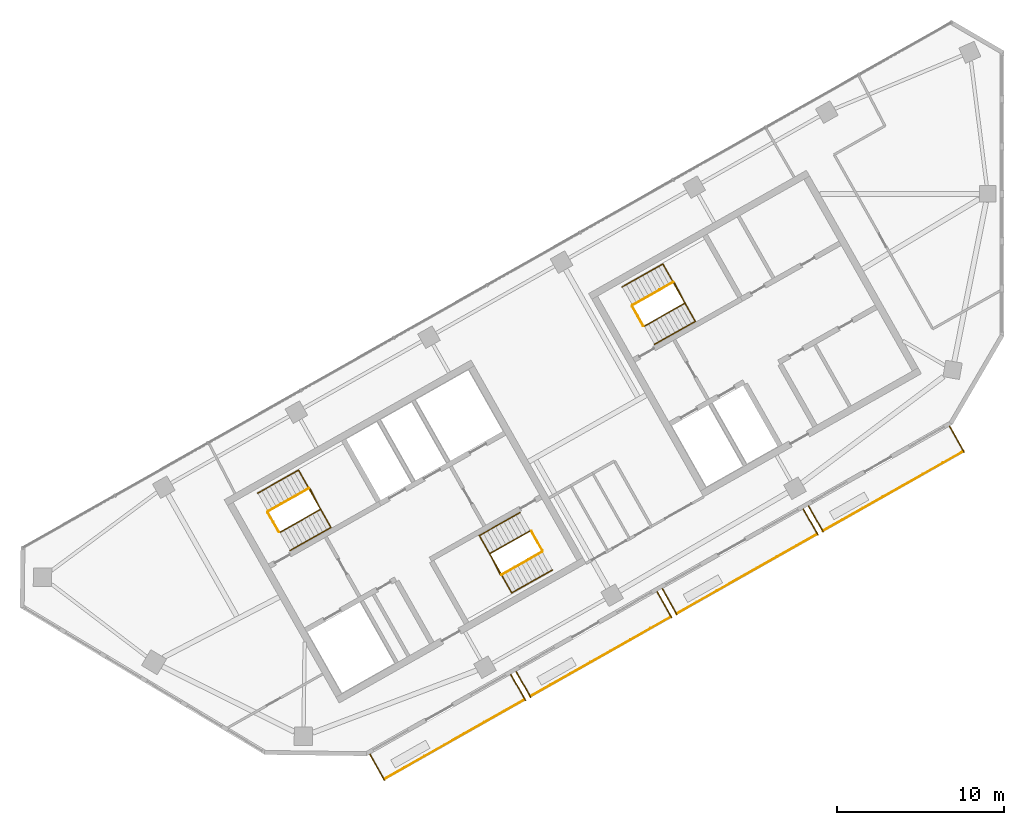
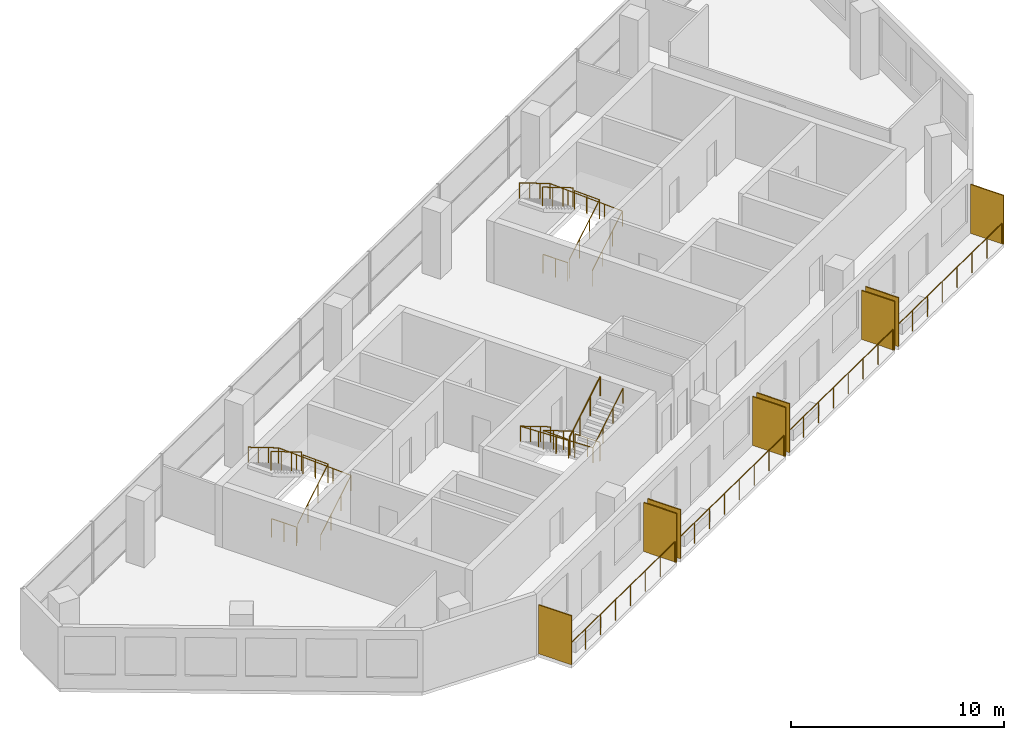
# One storey, part 9 of 10: 16 railings, 8 shading devices.
"""IFC4 building model written with IfcOpenShell, lengths in metres."""

from ifc_helpers import new_model, si_unit, direction, frame, origin, origin_2d, place, context, subcontext, project, spatial, rectangle, circle, extrude, material, layer, layer_set, type_object, element, save


model = new_model("IFC4")

# Units and contexts
model_context = context("Model", 3, precision=1e-05, world=origin(), true_north=direction((0.0, 1.0)))
body_context = subcontext(model_context, "Body", "Model", "MODEL_VIEW")
ifc_project = project(units=[si_unit("LENGTHUNIT", "METRE"), si_unit("AREAUNIT", "SQUARE_METRE"), si_unit("VOLUMEUNIT", "CUBIC_METRE"), si_unit("PLANEANGLEUNIT", "RADIAN"), si_unit("MASSUNIT", "GRAM", prefix="KILO")], contexts=[model_context])

# Site, building, storey
site_placement = place(None, origin())
site = spatial("IfcSite", under=ifc_project, at=site_placement, CompositionType="ELEMENT")
building_placement = place(site_placement, origin())
building = spatial("IfcBuilding", under=site, at=building_placement, Name="Binnacle Exchange Tower", CompositionType="ELEMENT")
storey_placement = place(building_placement, frame((0.0, 0.0, 320.300048828125)))
storey = spatial("IfcBuildingStorey", under=building, at=storey_placement, Name="L72", CompositionType="ELEMENT", Elevation=320.300048828125)

# Railings
ifc_material_1 = material(Name="Bronze anodised aluminium frame", Category="aluminium")
railing_type_1 = type_object("IfcRailingType", Name="GUARD 1200", PredefinedType="GUARDRAIL", material=ifc_material_1)
for number, where, name in (
    (1, (-37.006591796875, 24.94287109375, 0.0), "Balcony guard H07-B00 L72"),
    (2, (-28.24365234375, 29.900634765625, 0.0), "Balcony guard H07-B01 L72"),
):
    element("IfcRailing", number, at=place(storey_placement, frame(where)), inside=storey, type_object=railing_type_1, Name=name, PredefinedType="GUARDRAIL", context=body_context, shape_type="SweptSolid", body=[
        extrude(circle(Radius=0.02392578125, at=origin_2d()), frame((0.0, 0.0, 1.17578125), z_axis=(0.870359171481, 0.492417417055, 0.0), x_axis=(-0.492417417055, 0.870359171481, 0.0)), (0.0, 0.0, 1.0), 9.648193359375),
        extrude(circle(Radius=0.02099609375, at=origin_2d()), origin(), (0.0, 0.0, 1.0), 1.15185546875),
        extrude(circle(Radius=0.02099609375, at=origin_2d()), frame((1.19970703125, 0.6787109375, 0.0)), (0.0, 0.0, 1.0), 1.15185546875),
        extrude(circle(Radius=0.02099609375, at=origin_2d()), frame((2.399169921875, 1.357421875, 0.0)), (0.0, 0.0, 1.0), 1.15185546875),
        extrude(circle(Radius=0.02099609375, at=origin_2d()), frame((3.598876953125, 2.0361328125, 0.0)), (0.0, 0.0, 1.0), 1.15185546875),
        extrude(circle(Radius=0.02099609375, at=origin_2d()), frame((4.798583984375, 2.71484375, 0.0)), (0.0, 0.0, 1.0), 1.15185546875),
        extrude(circle(Radius=0.02099609375, at=origin_2d()), frame((5.998291015625, 3.3935546875, 0.0)), (0.0, 0.0, 1.0), 1.15185546875),
        extrude(circle(Radius=0.02099609375, at=origin_2d()), frame((7.19775390625, 4.072265625, 0.0)), (0.0, 0.0, 1.0), 1.15185546875),
        extrude(circle(Radius=0.02099609375, at=origin_2d()), frame((8.3974609375, 4.7509765625, 0.0)), (0.0, 0.0, 1.0), 1.15185546875),
    ])
railing_1_placement = place(storey_placement, frame((-19.480712890625, 34.8583984375, 0.0)))
element("IfcRailing", 3, at=railing_1_placement, inside=storey, type_object=railing_type_1, Name="Balcony guard H07-B02 L72", PredefinedType="GUARDRAIL", context=body_context, shape_type="SweptSolid", body=[
    extrude(circle(Radius=0.02392578125, at=origin_2d()), frame((0.0, 0.0, 1.17578125), z_axis=(0.870342190373, 0.492447430349, 0.0), x_axis=(-0.492447430349, 0.870342190373, 0.0)), (0.0, 0.0, 1.0), 9.648193359375),
    extrude(circle(Radius=0.02099609375, at=origin_2d()), origin(), (0.0, 0.0, 1.0), 1.15185546875),
    extrude(circle(Radius=0.02099609375, at=origin_2d()), frame((1.19970703125, 0.6787109375, 0.0)), (0.0, 0.0, 1.0), 1.15185546875),
    extrude(circle(Radius=0.02099609375, at=origin_2d()), frame((2.399169921875, 1.357421875, 0.0)), (0.0, 0.0, 1.0), 1.15185546875),
    extrude(circle(Radius=0.02099609375, at=origin_2d()), frame((3.598876953125, 2.0361328125, 0.0)), (0.0, 0.0, 1.0), 1.15185546875),
    extrude(circle(Radius=0.02099609375, at=origin_2d()), frame((4.79833984375, 2.715087890625, 0.0)), (0.0, 0.0, 1.0), 1.15185546875),
    extrude(circle(Radius=0.02099609375, at=origin_2d()), frame((5.998046875, 3.393798828125, 0.0)), (0.0, 0.0, 1.0), 1.15185546875),
    extrude(circle(Radius=0.02099609375, at=origin_2d()), frame((7.197509765625, 4.072509765625, 0.0)), (0.0, 0.0, 1.0), 1.15185546875),
    extrude(circle(Radius=0.02099609375, at=origin_2d()), frame((8.397216796875, 4.751220703125, 0.0)), (0.0, 0.0, 1.0), 1.15185546875),
])
railing_2_placement = place(storey_placement, frame((-10.7177734375, 39.81640625, 0.0)))
element("IfcRailing", 4, at=railing_2_placement, inside=storey, type_object=railing_type_1, Name="Balcony guard H07-B03 L72", PredefinedType="GUARDRAIL", context=body_context, shape_type="SweptSolid", body=[
    extrude(circle(Radius=0.02392578125, at=origin_2d()), frame((0.0, 0.0, 1.17578125), z_axis=(0.870353035673, 0.492428262079, 0.0), x_axis=(-0.492428262079, 0.870353035673, 0.0)), (0.0, 0.0, 1.0), 9.64794921875),
    extrude(circle(Radius=0.02099609375, at=origin_2d()), origin(), (0.0, 0.0, 1.0), 1.15185546875),
    extrude(circle(Radius=0.02099609375, at=origin_2d()), frame((1.19970703125, 0.6787109375, 0.0)), (0.0, 0.0, 1.0), 1.15185546875),
    extrude(circle(Radius=0.02099609375, at=origin_2d()), frame((2.399169921875, 1.357421875, 0.0)), (0.0, 0.0, 1.0), 1.15185546875),
    extrude(circle(Radius=0.02099609375, at=origin_2d()), frame((3.598876953125, 2.0361328125, 0.0)), (0.0, 0.0, 1.0), 1.15185546875),
    extrude(circle(Radius=0.02099609375, at=origin_2d()), frame((4.79833984375, 2.71484375, 0.0)), (0.0, 0.0, 1.0), 1.15185546875),
    extrude(circle(Radius=0.02099609375, at=origin_2d()), frame((5.998046875, 3.3935546875, 0.0)), (0.0, 0.0, 1.0), 1.15185546875),
    extrude(circle(Radius=0.02099609375, at=origin_2d()), frame((7.197509765625, 4.072265625, 0.0)), (0.0, 0.0, 1.0), 1.15185546875),
    extrude(circle(Radius=0.02099609375, at=origin_2d()), frame((8.397216796875, 4.7509765625, 0.0)), (0.0, 0.0, 1.0), 1.15185546875),
])

# Shading devices
ifc_material_2 = material(Name="Bronze aluminium louvre", Category="aluminium")
ifc_layer = layer(ifc_material_2, 0.06005859375)
ifc_layer_set = layer_set([ifc_layer], Name="PLANTED SCREEN 60x2800")
shading_device_type = type_object("IfcShadingDeviceType", Name="PLANTED SCREEN 60x2800", PredefinedType="USERDEFINED", material=ifc_layer_set)
for number, where, z_axis, x_axis, name in (
    (5, (-37.436279296875, 25.641845703125, 0.0), (0.0, 0.0, 1.0), (0.87035569594, 0.492423560103, 0.0), "Planted screen H07-B00a L72"),
    (6, (-28.98681640625, 30.42236328125, 0.0), (0.0, 0.0, 1.0), (0.87035569594, 0.492423560103, 0.0), "Planted screen H07-B00b L72"),
    (7, (-28.673583984375, 30.599609375, 0.0), (0.0, 0.0, 1.0), (0.87035569594, 0.492423560103, 0.0), "Planted screen H07-B01a L72"),
    (8, (-20.223876953125, 35.380126953125, 0.0), (0.0, 0.0, 1.0), (0.87035569594, 0.492423560103, 0.0), "Planted screen H07-B01b L72"),
    (9, (-19.91064453125, 35.5576171875, 0.0), (0.0, 0.0, 1.0), (0.87035569594, 0.492423560103, 0.0), "Planted screen H07-B02a L72"),
    (10, (-11.461181640625, 40.337890625, 0.0), (0.0, 0.0, 1.0), (0.87035569594, 0.492423560103, 0.0), "Planted screen H07-B02b L72"),
    (11, (-11.147705078125, 40.51513671875, 0.0), (0.0, 0.0, 1.0), (0.87035569594, 0.492423560103, 0.0), "Planted screen H07-B03a L72"),
    (12, (-2.697998046875, 45.2958984375, 0.0), (0.0, 0.0, 1.0), (0.87035569594, 0.492423560103, 0.0), "Planted screen H07-B03b L72"),
):
    element("IfcShadingDevice", number, at=place(storey_placement, frame(where, z_axis=z_axis, x_axis=x_axis)), inside=storey, type_object=shading_device_type, Name=name, ObjectType="SCREEN", PredefinedType="USERDEFINED", context=body_context, shape_type="SweptSolid", body=[
        extrude(rectangle(XDim=0.06005859375, YDim=1.800048828125, at=origin_2d()), origin(), (0.0, 0.0, 1.0), 2.800048828125),
    ])

# Railings
ifc_material_3 = material(Name="Steel guard rail", Category="steel")
railing_type_2 = type_object("IfcRailingType", Name="STAIR GUARD 1100", PredefinedType="GUARDRAIL", material=ifc_material_3)
railing_3_placement = place(storey_placement, frame((-43.26171875, 39.71728515625, 0.172607421875)))
element("IfcRailing", 13, at=railing_3_placement, inside=storey, type_object=railing_type_2, Name="L72 STA1 stair guard 1", PredefinedType="GUARDRAIL", context=body_context, shape_type="SweptSolid", body=[
    extrude(circle(Radius=0.02392578125, at=origin_2d()), frame((0.0, 0.0, 1.076171875), z_axis=(0.740737961854, 0.419123222656, 0.525017138862), x_axis=(-0.492453686477, 0.870338650569, 0.0)), (0.0, 0.0, 1.0), 3.2900390625),
    extrude(circle(Radius=0.02392578125, at=origin_2d()), frame((2.43701171875, 1.37890625, 2.80322265625), z_axis=(-0.461100321709, 0.887348011391, 0.0), x_axis=(-0.887348011391, -0.461100321709, 0.0)), (0.0, 0.0, 1.0), 1.40087890625),
    extrude(circle(Radius=0.02099609375, at=origin_2d()), origin(), (0.0, 0.0, 1.0), 1.052001953125),
    extrude(circle(Radius=0.02099609375, at=origin_2d()), frame((0.812255859375, 0.459716796875, 0.57568359375)), (0.0, 0.0, 1.0), 1.052001953125),
    extrude(circle(Radius=0.02099609375, at=origin_2d()), frame((1.624755859375, 0.919189453125, 1.151611328125)), (0.0, 0.0, 1.0), 1.052001953125),
    extrude(circle(Radius=0.02099609375, at=origin_2d()), frame((2.43701171875, 1.37890625, 1.727294921875)), (0.0, 0.0, 1.0), 1.052001953125),
    extrude(circle(Radius=0.02099609375, at=origin_2d()), frame((2.114013671875, 2.00048828125, 1.727294921875)), (0.0, 0.0, 1.0), 1.052001953125),
    extrude(circle(Radius=0.02099609375, at=origin_2d()), frame((1.791015625, 2.6220703125, 1.727294921875)), (0.0, 0.0, 1.0), 1.052001953125),
])
railing_4_placement = place(storey_placement, frame((-41.538818359375, 42.358154296875, 2.07275390625)))
element("IfcRailing", 14, at=railing_4_placement, inside=storey, type_object=railing_type_2, Name="L72 STA1 stair guard 2", PredefinedType="GUARDRAIL", context=body_context, shape_type="SweptSolid", body=[
    extrude(circle(Radius=0.02392578125, at=origin_2d()), frame((0.0, 0.0, 1.076171875), z_axis=(-0.740737961854, -0.419123222656, 0.525017138862), x_axis=(0.492453686477, -0.870338650569, 0.0)), (0.0, 0.0, 1.0), 3.2900390625),
    extrude(circle(Radius=0.02099609375, at=origin_2d()), origin(), (0.0, 0.0, 1.0), 1.052001953125),
    extrude(circle(Radius=0.02099609375, at=origin_2d()), frame((-0.812255859375, -0.459716796875, 0.57568359375)), (0.0, 0.0, 1.0), 1.052001953125),
    extrude(circle(Radius=0.02099609375, at=origin_2d()), frame((-1.624755859375, -0.919189453125, 1.151611328125)), (0.0, 0.0, 1.0), 1.052001953125),
    extrude(circle(Radius=0.02099609375, at=origin_2d()), frame((-2.43701171875, -1.37890625, 1.727294921875)), (0.0, 0.0, 1.0), 1.052001953125),
])
railing_5_placement = place(storey_placement, frame((-43.329833984375, 39.736328125, 0.0)))
element("IfcRailing", 15, at=railing_5_placement, inside=storey, type_object=railing_type_2, Name="L72 STA1 stair guard 3", PredefinedType="GUARDRAIL", context=body_context, shape_type="SweptSolid", body=[
    extrude(circle(Radius=0.02392578125, at=origin_2d()), frame((0.0, 0.0, 1.076171875), z_axis=(-0.4924922531, 0.870316827734, 0.0), x_axis=(-0.870316827734, -0.4924922531, 0.0)), (0.0, 0.0, 1.0), 1.349853515625),
    extrude(circle(Radius=0.02099609375, at=origin_2d()), origin(), (0.0, 0.0, 1.0), 1.052001953125),
    extrude(circle(Radius=0.02099609375, at=origin_2d()), frame((-0.33251953125, 0.58740234375, 0.0)), (0.0, 0.0, 1.0), 1.052001953125),
    extrude(circle(Radius=0.02099609375, at=origin_2d()), frame((-0.664794921875, 1.1748046875, 0.0)), (0.0, 0.0, 1.0), 1.052001953125),
])
railing_6_placement = place(storey_placement, frame((-28.265380859375, 39.814453125, 0.172607421875)))
element("IfcRailing", 16, at=railing_6_placement, inside=storey, type_object=railing_type_2, Name="L72 STA2 stair guard 1", PredefinedType="GUARDRAIL", context=body_context, shape_type="SweptSolid", body=[
    extrude(circle(Radius=0.02392578125, at=origin_2d()), frame((0.0, 0.0, 1.076171875), z_axis=(-0.740760999345, -0.419062048017, 0.525033467278), x_axis=(0.492387636113, -0.870376019777, 0.0)), (0.0, 0.0, 1.0), 3.289794921875),
    extrude(circle(Radius=0.02392578125, at=origin_2d()), frame((-2.43701171875, -1.378662109375, 2.80322265625), z_axis=(0.460963092712, -0.887419307406, 0.0), x_axis=(0.887419307406, 0.460963092712, 0.0)), (0.0, 0.0, 1.0), 1.40087890625),
    extrude(circle(Radius=0.02099609375, at=origin_2d()), origin(), (0.0, 0.0, 1.0), 1.052001953125),
    extrude(circle(Radius=0.02099609375, at=origin_2d()), frame((-0.812255859375, -0.45947265625, 0.57568359375)), (0.0, 0.0, 1.0), 1.052001953125),
    extrude(circle(Radius=0.02099609375, at=origin_2d()), frame((-1.624755859375, -0.919189453125, 1.151611328125)), (0.0, 0.0, 1.0), 1.052001953125),
    extrude(circle(Radius=0.02099609375, at=origin_2d()), frame((-2.43701171875, -1.378662109375, 1.727294921875)), (0.0, 0.0, 1.0), 1.052001953125),
    extrude(circle(Radius=0.02099609375, at=origin_2d()), frame((-2.1142578125, -2.000244140625, 1.727294921875)), (0.0, 0.0, 1.0), 1.052001953125),
    extrude(circle(Radius=0.02099609375, at=origin_2d()), frame((-1.791259765625, -2.621826171875, 1.727294921875)), (0.0, 0.0, 1.0), 1.052001953125),
])
railing_7_placement = place(storey_placement, frame((-29.988525390625, 37.173583984375, 2.07275390625)))
element("IfcRailing", 17, at=railing_7_placement, inside=storey, type_object=railing_type_2, Name="L72 STA2 stair guard 2", PredefinedType="GUARDRAIL", context=body_context, shape_type="SweptSolid", body=[
    extrude(circle(Radius=0.02392578125, at=origin_2d()), frame((0.0, 0.0, 1.076171875), z_axis=(0.740737961854, 0.419123222656, 0.525017138862), x_axis=(-0.492453686477, 0.870338650569, 0.0)), (0.0, 0.0, 1.0), 3.2900390625),
    extrude(circle(Radius=0.02099609375, at=origin_2d()), origin(), (0.0, 0.0, 1.0), 1.052001953125),
    extrude(circle(Radius=0.02099609375, at=origin_2d()), frame((0.812255859375, 0.459716796875, 0.57568359375)), (0.0, 0.0, 1.0), 1.052001953125),
    extrude(circle(Radius=0.02099609375, at=origin_2d()), frame((1.624755859375, 0.919189453125, 1.151611328125)), (0.0, 0.0, 1.0), 1.052001953125),
    extrude(circle(Radius=0.02099609375, at=origin_2d()), frame((2.43701171875, 1.37890625, 1.727294921875)), (0.0, 0.0, 1.0), 1.052001953125),
])
railing_8_placement = place(storey_placement, frame((-28.197265625, 39.795654296875, 0.0)))
element("IfcRailing", 18, at=railing_8_placement, inside=storey, type_object=railing_type_2, Name="L72 STA2 stair guard 3", PredefinedType="GUARDRAIL", context=body_context, shape_type="SweptSolid", body=[
    extrude(circle(Radius=0.02392578125, at=origin_2d()), frame((0.0, 0.0, 1.076171875), z_axis=(0.49241474071, -0.870360685654, 0.0), x_axis=(0.870360685654, 0.49241474071, 0.0)), (0.0, 0.0, 1.0), 1.35009765625),
    extrude(circle(Radius=0.02099609375, at=origin_2d()), origin(), (0.0, 0.0, 1.0), 1.052001953125),
    extrude(circle(Radius=0.02099609375, at=origin_2d()), frame((0.33251953125, -0.58740234375, 0.0)), (0.0, 0.0, 1.0), 1.052001953125),
    extrude(circle(Radius=0.02099609375, at=origin_2d()), frame((0.664794921875, -1.175048828125, 0.0)), (0.0, 0.0, 1.0), 1.052001953125),
])
railing_9_placement = place(storey_placement, frame((-21.423828125, 52.07275390625, 0.172607421875)))
element("IfcRailing", 19, at=railing_9_placement, inside=storey, type_object=railing_type_2, Name="L72 STC1 stair guard 1", PredefinedType="GUARDRAIL", context=body_context, shape_type="SweptSolid", body=[
    extrude(circle(Radius=0.02392578125, at=origin_2d()), frame((0.0, 0.0, 1.076171875), z_axis=(0.740760999345, 0.419062048017, 0.525033467278), x_axis=(-0.492387636113, 0.870376019777, 0.0)), (0.0, 0.0, 1.0), 3.289794921875),
    extrude(circle(Radius=0.02392578125, at=origin_2d()), frame((2.43701171875, 1.378662109375, 2.80322265625), z_axis=(-0.460963092712, 0.887419307406, 0.0), x_axis=(-0.887419307406, -0.460963092712, 0.0)), (0.0, 0.0, 1.0), 1.40087890625),
    extrude(circle(Radius=0.02099609375, at=origin_2d()), origin(), (0.0, 0.0, 1.0), 1.052001953125),
    extrude(circle(Radius=0.02099609375, at=origin_2d()), frame((0.812255859375, 0.45947265625, 0.57568359375)), (0.0, 0.0, 1.0), 1.052001953125),
    extrude(circle(Radius=0.02099609375, at=origin_2d()), frame((1.624755859375, 0.919189453125, 1.151611328125)), (0.0, 0.0, 1.0), 1.052001953125),
    extrude(circle(Radius=0.02099609375, at=origin_2d()), frame((2.43701171875, 1.378662109375, 1.727294921875)), (0.0, 0.0, 1.0), 1.052001953125),
    extrude(circle(Radius=0.02099609375, at=origin_2d()), frame((2.1142578125, 2.000244140625, 1.727294921875)), (0.0, 0.0, 1.0), 1.052001953125),
    extrude(circle(Radius=0.02099609375, at=origin_2d()), frame((1.791259765625, 2.621826171875, 1.727294921875)), (0.0, 0.0, 1.0), 1.052001953125),
])
railing_10_placement = place(storey_placement, frame((-19.70068359375, 54.71337890625, 2.07275390625)))
element("IfcRailing", 20, at=railing_10_placement, inside=storey, type_object=railing_type_2, Name="L72 STC1 stair guard 2", PredefinedType="GUARDRAIL", context=body_context, shape_type="SweptSolid", body=[
    extrude(circle(Radius=0.02392578125, at=origin_2d()), frame((0.0, 0.0, 1.076171875), z_axis=(-0.740760999345, -0.419062048017, 0.525033467278), x_axis=(0.492387636113, -0.870376019777, 0.0)), (0.0, 0.0, 1.0), 3.289794921875),
    extrude(circle(Radius=0.02099609375, at=origin_2d()), origin(), (0.0, 0.0, 1.0), 1.052001953125),
    extrude(circle(Radius=0.02099609375, at=origin_2d()), frame((-0.812255859375, -0.45947265625, 0.57568359375)), (0.0, 0.0, 1.0), 1.052001953125),
    extrude(circle(Radius=0.02099609375, at=origin_2d()), frame((-1.624755859375, -0.919189453125, 1.151611328125)), (0.0, 0.0, 1.0), 1.052001953125),
    extrude(circle(Radius=0.02099609375, at=origin_2d()), frame((-2.43701171875, -1.378662109375, 1.727294921875)), (0.0, 0.0, 1.0), 1.052001953125),
])
railing_11_placement = place(storey_placement, frame((-21.491943359375, 52.091552734375, 0.0)))
element("IfcRailing", 21, at=railing_11_placement, inside=storey, type_object=railing_type_2, Name="L72 STC1 stair guard 3", PredefinedType="GUARDRAIL", context=body_context, shape_type="SweptSolid", body=[
    extrude(circle(Radius=0.02392578125, at=origin_2d()), frame((0.0, 0.0, 1.076171875), z_axis=(-0.49241474071, 0.870360685654, 0.0), x_axis=(-0.870360685654, -0.49241474071, 0.0)), (0.0, 0.0, 1.0), 1.35009765625),
    extrude(circle(Radius=0.02099609375, at=origin_2d()), origin(), (0.0, 0.0, 1.0), 1.052001953125),
    extrude(circle(Radius=0.02099609375, at=origin_2d()), frame((-0.33251953125, 0.58740234375, 0.0)), (0.0, 0.0, 1.0), 1.052001953125),
    extrude(circle(Radius=0.02099609375, at=origin_2d()), frame((-0.664794921875, 1.175048828125, 0.0)), (0.0, 0.0, 1.0), 1.052001953125),
])
ifc_material_4 = material(Name="Steel handrail", Category="steel")
railing_type_3 = type_object("IfcRailingType", Name="STAIR HANDRAIL 900", PredefinedType="HANDRAIL", material=ifc_material_4)
railing_12_placement = place(storey_placement, frame((-42.646240234375, 38.62939453125, 0.172607421875)))
element("IfcRailing", 22, at=railing_12_placement, inside=storey, type_object=railing_type_3, Name="L72 STA1 stair handrail 1", PredefinedType="HANDRAIL", context=body_context, shape_type="SweptSolid", body=[
    extrude(circle(Radius=0.02392578125, at=origin_2d()), frame((0.0, 0.0, 0.8759765625), z_axis=(0.740760999345, 0.419062048017, 0.525033467278), x_axis=(-0.492387636113, 0.870376019777, 0.0)), (0.0, 0.0, 1.0), 3.289794921875),
    extrude(circle(Radius=0.02392578125, at=origin_2d()), frame((2.43701171875, 1.378662109375, 2.60302734375), z_axis=(-0.491942846455, 0.869529203437, 0.043717275673), x_axis=(-0.870361318571, -0.492413622004, 0.0)), (0.0, 0.0, 1.0), 3.953857421875),
    extrude(circle(Radius=0.02392578125, at=origin_2d()), frame((0.491943359375, 4.816650390625, 2.77587890625), z_axis=(-0.740760999345, -0.419062048017, 0.525033467278), x_axis=(0.492387636113, -0.870376019777, 0.0)), (0.0, 0.0, 1.0), 3.289794921875),
    extrude(circle(Radius=0.02099609375, at=origin_2d()), origin(), (0.0, 0.0, 1.0), 0.851806640625),
    extrude(circle(Radius=0.02099609375, at=origin_2d()), frame((0.812255859375, 0.45947265625, 0.57568359375)), (0.0, 0.0, 1.0), 0.851806640625),
    extrude(circle(Radius=0.02099609375, at=origin_2d()), frame((1.624755859375, 0.919189453125, 1.151611328125)), (0.0, 0.0, 1.0), 0.851806640625),
    extrude(circle(Radius=0.02099609375, at=origin_2d()), frame((2.43701171875, 1.378662109375, 1.727294921875)), (0.0, 0.0, 1.0), 0.851806640625),
    extrude(circle(Radius=0.02099609375, at=origin_2d()), frame((1.95068359375, 2.23828125, 1.7705078125)), (0.0, 0.0, 1.0), 0.851806640625),
    extrude(circle(Radius=0.02099609375, at=origin_2d()), frame((1.46435546875, 3.09765625, 1.813720703125)), (0.0, 0.0, 1.0), 0.851806640625),
    extrude(circle(Radius=0.02099609375, at=origin_2d()), frame((0.978271484375, 3.95703125, 1.85693359375)), (0.0, 0.0, 1.0), 0.851806640625),
    extrude(circle(Radius=0.02099609375, at=origin_2d()), frame((0.491943359375, 4.816650390625, 1.900146484375)), (0.0, 0.0, 1.0), 0.851806640625),
    extrude(circle(Radius=0.02099609375, at=origin_2d()), frame((-0.3203125, 4.357177734375, 2.475830078125)), (0.0, 0.0, 1.0), 0.851806640625),
    extrude(circle(Radius=0.02099609375, at=origin_2d()), frame((-1.1328125, 3.8974609375, 3.0517578125)), (0.0, 0.0, 1.0), 0.851806640625),
    extrude(circle(Radius=0.02099609375, at=origin_2d()), frame((-1.945068359375, 3.43798828125, 3.62744140625)), (0.0, 0.0, 1.0), 0.851806640625),
])
railing_13_placement = place(storey_placement, frame((-28.880859375, 40.90234375, 0.172607421875)))
element("IfcRailing", 23, at=railing_13_placement, inside=storey, type_object=railing_type_3, Name="L72 STA2 stair handrail 1", PredefinedType="HANDRAIL", context=body_context, shape_type="SweptSolid", body=[
    extrude(circle(Radius=0.02392578125, at=origin_2d()), frame((0.0, 0.0, 0.8759765625), z_axis=(-0.740760999345, -0.419062048017, 0.525033467278), x_axis=(0.492387636113, -0.870376019777, 0.0)), (0.0, 0.0, 1.0), 3.289794921875),
    extrude(circle(Radius=0.02392578125, at=origin_2d()), frame((-2.43701171875, -1.378662109375, 2.60302734375), z_axis=(0.491942846455, -0.869529203437, 0.043717275673), x_axis=(0.870361318571, 0.492413622004, 0.0)), (0.0, 0.0, 1.0), 3.953857421875),
    extrude(circle(Radius=0.02392578125, at=origin_2d()), frame((-0.491943359375, -4.816650390625, 2.77587890625), z_axis=(0.740737961854, 0.419123222656, 0.525017138862), x_axis=(-0.492453686477, 0.870338650569, 0.0)), (0.0, 0.0, 1.0), 3.2900390625),
    extrude(circle(Radius=0.02099609375, at=origin_2d()), origin(), (0.0, 0.0, 1.0), 0.851806640625),
    extrude(circle(Radius=0.02099609375, at=origin_2d()), frame((-0.812255859375, -0.45947265625, 0.57568359375)), (0.0, 0.0, 1.0), 0.851806640625),
    extrude(circle(Radius=0.02099609375, at=origin_2d()), frame((-1.624755859375, -0.919189453125, 1.151611328125)), (0.0, 0.0, 1.0), 0.851806640625),
    extrude(circle(Radius=0.02099609375, at=origin_2d()), frame((-2.43701171875, -1.378662109375, 1.727294921875)), (0.0, 0.0, 1.0), 0.851806640625),
    extrude(circle(Radius=0.02099609375, at=origin_2d()), frame((-1.95068359375, -2.23828125, 1.7705078125)), (0.0, 0.0, 1.0), 0.851806640625),
    extrude(circle(Radius=0.02099609375, at=origin_2d()), frame((-1.46435546875, -3.09765625, 1.813720703125)), (0.0, 0.0, 1.0), 0.851806640625),
    extrude(circle(Radius=0.02099609375, at=origin_2d()), frame((-0.978271484375, -3.95703125, 1.85693359375)), (0.0, 0.0, 1.0), 0.851806640625),
    extrude(circle(Radius=0.02099609375, at=origin_2d()), frame((-0.491943359375, -4.816650390625, 1.900146484375)), (0.0, 0.0, 1.0), 0.851806640625),
    extrude(circle(Radius=0.02099609375, at=origin_2d()), frame((0.3203125, -4.35693359375, 2.475830078125)), (0.0, 0.0, 1.0), 0.851806640625),
    extrude(circle(Radius=0.02099609375, at=origin_2d()), frame((1.1328125, -3.8974609375, 3.0517578125)), (0.0, 0.0, 1.0), 0.851806640625),
    extrude(circle(Radius=0.02099609375, at=origin_2d()), frame((1.945068359375, -3.437744140625, 3.62744140625)), (0.0, 0.0, 1.0), 0.851806640625),
])
railing_14_placement = place(storey_placement, frame((-20.808349609375, 50.984619140625, 0.172607421875)))
element("IfcRailing", 24, at=railing_14_placement, inside=storey, type_object=railing_type_3, Name="L72 STC1 stair handrail 1", PredefinedType="HANDRAIL", context=body_context, shape_type="SweptSolid", body=[
    extrude(circle(Radius=0.02392578125, at=origin_2d()), frame((0.0, 0.0, 0.8759765625), z_axis=(0.740737961854, 0.419123222656, 0.525017138862), x_axis=(-0.492453686477, 0.870338650569, 0.0)), (0.0, 0.0, 1.0), 3.2900390625),
    extrude(circle(Radius=0.02392578125, at=origin_2d()), frame((2.43701171875, 1.37890625, 2.60302734375), z_axis=(-0.491969260701, 0.869514140822, 0.043719623017), x_axis=(-0.87034633103, -0.492440112159, 0.0)), (0.0, 0.0, 1.0), 3.95361328125),
    extrude(circle(Radius=0.02392578125, at=origin_2d()), frame((0.491943359375, 4.816650390625, 2.77587890625), z_axis=(-0.740760999345, -0.419062048017, 0.525033467278), x_axis=(0.492387636113, -0.870376019777, 0.0)), (0.0, 0.0, 1.0), 3.289794921875),
    extrude(circle(Radius=0.02099609375, at=origin_2d()), origin(), (0.0, 0.0, 1.0), 0.851806640625),
    extrude(circle(Radius=0.02099609375, at=origin_2d()), frame((0.812255859375, 0.459716796875, 0.57568359375)), (0.0, 0.0, 1.0), 0.851806640625),
    extrude(circle(Radius=0.02099609375, at=origin_2d()), frame((1.624755859375, 0.919189453125, 1.151611328125)), (0.0, 0.0, 1.0), 0.851806640625),
    extrude(circle(Radius=0.02099609375, at=origin_2d()), frame((2.43701171875, 1.37890625, 1.727294921875)), (0.0, 0.0, 1.0), 0.851806640625),
    extrude(circle(Radius=0.02099609375, at=origin_2d()), frame((1.95068359375, 2.23828125, 1.7705078125)), (0.0, 0.0, 1.0), 0.851806640625),
    extrude(circle(Radius=0.02099609375, at=origin_2d()), frame((1.46435546875, 3.09765625, 1.813720703125)), (0.0, 0.0, 1.0), 0.851806640625),
    extrude(circle(Radius=0.02099609375, at=origin_2d()), frame((0.978271484375, 3.957275390625, 1.85693359375)), (0.0, 0.0, 1.0), 0.851806640625),
    extrude(circle(Radius=0.02099609375, at=origin_2d()), frame((0.491943359375, 4.816650390625, 1.900146484375)), (0.0, 0.0, 1.0), 0.851806640625),
    extrude(circle(Radius=0.02099609375, at=origin_2d()), frame((-0.3203125, 4.357177734375, 2.475830078125)), (0.0, 0.0, 1.0), 0.851806640625),
    extrude(circle(Radius=0.02099609375, at=origin_2d()), frame((-1.1328125, 3.8974609375, 3.0517578125)), (0.0, 0.0, 1.0), 0.851806640625),
    extrude(circle(Radius=0.02099609375, at=origin_2d()), frame((-1.945068359375, 3.43798828125, 3.62744140625)), (0.0, 0.0, 1.0), 0.851806640625),
])

save(model, "model.ifc")
